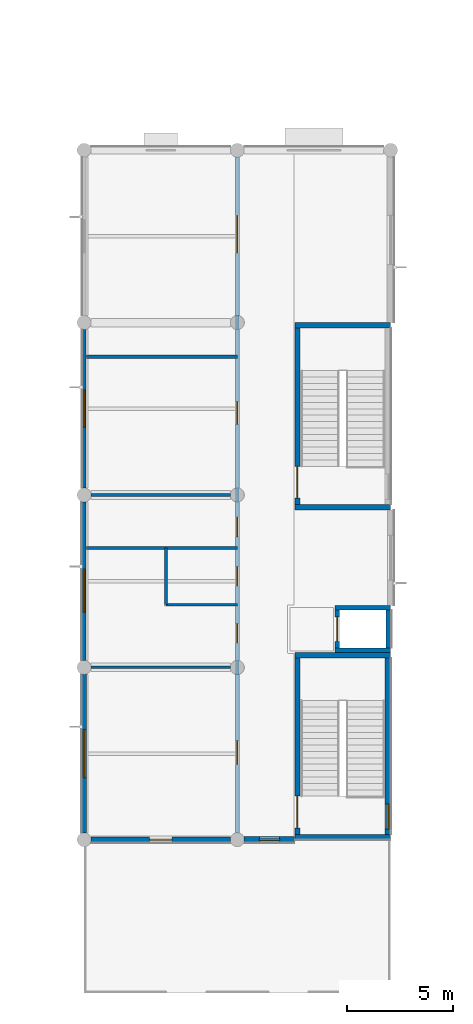
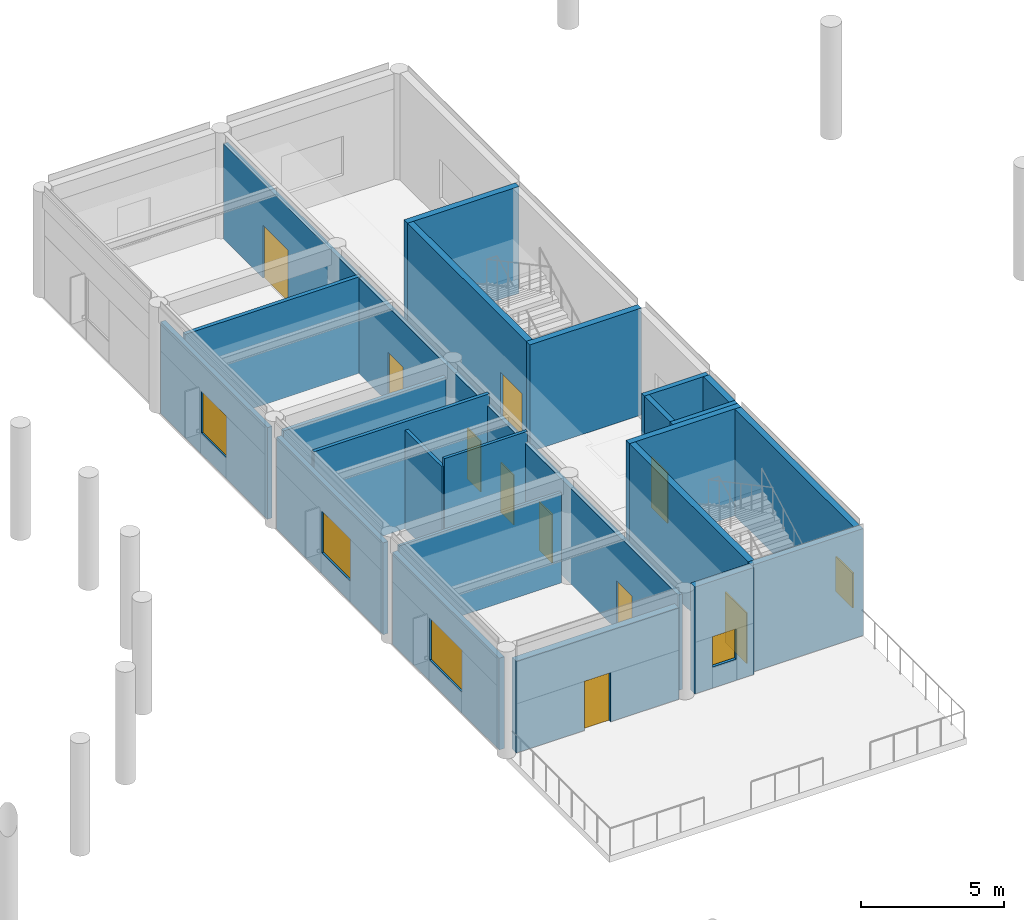
# One storey, part 53 of 92: 23 walls, 10 doors, 5 windows, 15 openings.
"""IFC4 building model written with IfcOpenShell, lengths in metres."""

import ifcopenshell
import ifcopenshell.guid

model = None  # the IFC model being written
_history = None  # IfcOwnerHistory: only IFC2X3 demands one
_inside = {}  # id of a spatial element -> (the spatial element, [elements in it])
_under = {}  # id of a project, library or spatial element -> (it, [spatial elements below it])
_declared = {}  # id of a project -> (the project, [libraries it declares])
_typed = {}  # id of a type object -> (the type object, [elements of that type])
_made_of = {}  # id of a material, layer set ... -> (it, [elements and type objects made of it])


def new_model(schema):
    """Start an empty IFC model of exactly this schema.

    Asked for "IFC4X3", IfcOpenShell would pick the latest addendum, in which some entities
    have other attributes; the version numbers below select the first issue.
    IFC2X3 requires an IfcOwnerHistory on every rooted entity: one is made here for all.
    """
    global model, _history
    if schema == "IFC4X3":
        model = ifcopenshell.file(schema_version=(4, 3, 0, 0))
    else:
        model = ifcopenshell.file(schema=schema)
    _inside.clear()
    _under.clear()
    _declared.clear()
    _typed.clear()
    _made_of.clear()
    _history = None
    if model.schema == "IFC2X3":
        org = make("IfcOrganization", Name="unknown")
        user = make(
            "IfcPersonAndOrganization",
            ThePerson=make("IfcPerson", FamilyName="unknown"),
            TheOrganization=org,
        )
        app = make(
            "IfcApplication",
            ApplicationDeveloper=org,
            Version="unknown",
            ApplicationFullName="unknown",
            ApplicationIdentifier="unknown",
        )
        _history = make(
            "IfcOwnerHistory",
            OwningUser=user,
            OwningApplication=app,
            ChangeAction="ADDED",
            CreationDate=0,
        )
    return model


def make(cls, **values):
    """One entity of the class cls with the attributes given. An attribute that is None is left unset."""
    return model.create_entity(
        cls, **{name: value for name, value in values.items() if value is not None}
    )


def rooted(cls, **values):
    """An entity with a GlobalId (a new one), such as an element, a storey or a relation."""
    return make(cls, GlobalId=ifcopenshell.guid.new(), OwnerHistory=_history, **values)


def si_unit(unit_type, name, prefix=None):
    """IfcSIUnit, for example si_unit("LENGTHUNIT", "METRE", prefix="MILLI")."""
    return make("IfcSIUnit", UnitType=unit_type, Prefix=prefix, Name=name)


def assignment(units):
    """IfcUnitAssignment: the units of a project."""
    return None if units is None else make("IfcUnitAssignment", Units=units)


def point(xyz):
    """IfcCartesianPoint."""
    return None if xyz is None else make("IfcCartesianPoint", Coordinates=xyz)


def direction(xyz):
    """IfcDirection."""
    return None if xyz is None else make("IfcDirection", DirectionRatios=xyz)


def frame(location, z_axis=None, x_axis=None):
    """IfcAxis2Placement3D, a coordinate frame: its origin and axes. An axis left out is left unset."""
    return make(
        "IfcAxis2Placement3D",
        Location=point(location),
        Axis=direction(z_axis),
        RefDirection=direction(x_axis),
    )


def frame_2d(location, x_axis=None):
    """IfcAxis2Placement2D, a coordinate frame in the plane: its origin and x axis."""
    return make(
        "IfcAxis2Placement2D", Location=point(location), RefDirection=direction(x_axis)
    )


def origin():
    """The frame at (0, 0, 0) with its axes left unset."""
    return frame((0.0, 0.0, 0.0))


def place(relative_to, where):
    """IfcLocalPlacement: puts the frame where relative to a parent placement (None: the world)."""
    return make(
        "IfcLocalPlacement", PlacementRelTo=relative_to, RelativePlacement=where
    )


def context(
    kind, dimensions, precision=None, world=None, true_north=None, identifier=None
):
    """IfcGeometricRepresentationContext, for example the 3D "Model" context."""
    return make(
        "IfcGeometricRepresentationContext",
        ContextIdentifier=identifier,
        ContextType=kind,
        CoordinateSpaceDimension=dimensions,
        Precision=precision,
        WorldCoordinateSystem=world,
        TrueNorth=true_north,
    )


def subcontext(parent, identifier, kind, view, scale=None):
    """IfcGeometricRepresentationSubContext, for example "Body" below "Model"."""
    return make(
        "IfcGeometricRepresentationSubContext",
        ContextIdentifier=identifier,
        ContextType=kind,
        ParentContext=parent,
        TargetScale=scale,
        TargetView=view,
    )


def project(units=None, contexts=None):
    """IfcProject with its units and contexts."""
    return rooted(
        "IfcProject",
        Name="project",
        RepresentationContexts=contexts,
        UnitsInContext=assignment(units),
    )


def spatial(cls, under=None, at=None, **own):
    """A site, building, storey or space (cls), placed at a placement, below another one or the project."""
    s = rooted(cls, ObjectPlacement=at, **own)
    if under is not None:
        _under.setdefault(under.id(), (under, []))[1].append(s)
    return s


def profile(cls, at=None, kind="AREA", **sizes):
    """A parametric profile (cls). Its sizes go by their IFC names, for example OverallWidth=200.0."""
    return make(cls, ProfileType=kind, Position=at, **sizes)


def rectangle(**sizes):
    """IfcRectangleProfileDef."""
    return profile("IfcRectangleProfileDef", **sizes)


def extrude(swept, where, along, depth):
    """IfcExtrudedAreaSolid: the profile swept, set in the frame where, extruded along a direction by depth."""
    return make(
        "IfcExtrudedAreaSolid",
        SweptArea=swept,
        Position=where,
        ExtrudedDirection=direction(along),
        Depth=depth,
    )


def shape(context_of_items, identifier, shape_type, items):
    """IfcShapeRepresentation: the items that make up one representation, for example the "Body"."""
    return make(
        "IfcShapeRepresentation",
        ContextOfItems=context_of_items,
        RepresentationIdentifier=identifier,
        RepresentationType=shape_type,
        Items=items,
    )


def material(Name=None, Category=None):
    """IfcMaterial."""
    return make("IfcMaterial", Name=Name, Category=Category)


def layer(
    of_material, thickness, ventilated=None, Name=None, Category=None, Priority=None
):
    """IfcMaterialLayer: one layer of a wall or slab, of a material (None: an air gap)."""
    return make(
        "IfcMaterialLayer",
        Material=of_material,
        LayerThickness=thickness,
        IsVentilated=ventilated,
        Name=Name,
        Category=Category,
        Priority=Priority,
    )


def layer_set(layers, Name=None):
    """IfcMaterialLayerSet."""
    return make("IfcMaterialLayerSet", MaterialLayers=layers, LayerSetName=Name)


def made_of(thing, what):
    """Note that an element or type object is made of a material, layer set ...; save() writes the relation."""
    if what is not None:
        _made_of.setdefault(what.id(), (what, []))[1].append(thing)
    return thing


def type_object(cls, material=None, **own):
    """A type object (cls), such as IfcWallType, which elements share."""
    return made_of(rooted(cls, **own), material)


def element(
    cls,
    number,
    at=None,
    inside=None,
    cuts=None,
    type_object=None,
    material=None,
    context=None,
    identifier="Body",
    shape_type=None,
    held_by="IfcProductDefinitionShape",
    body=None,
    shapes=None,
    **own,
):
    """One element of the class cls, such as IfcWall. Its Tag is "e" and its number.

    at: its placement. inside: the storey or other place that contains it. cuts: it is an
    opening in that element (IfcRelVoidsElement). A single representation is given by context,
    identifier, shape_type and body (its items); several are given by shapes. held_by: the class
    of the entity that holds the representations. save() writes the other relations.
    """
    e = rooted(cls, Tag="e%d" % number, ObjectPlacement=at, **own)
    if body is not None:
        shapes = [shape(context, identifier, shape_type, body)]
    if shapes is not None:
        e.Representation = make(held_by, Representations=shapes)
    if inside is not None:
        _inside.setdefault(inside.id(), (inside, []))[1].append(e)
    if cuts is not None:
        rooted(
            "IfcRelVoidsElement", RelatingBuildingElement=cuts, RelatedOpeningElement=e
        )
    if type_object is not None:
        _typed.setdefault(type_object.id(), (type_object, []))[1].append(e)
    return made_of(e, material)


def fill(opening, filler):
    """IfcRelFillsElement: the door or window that sits in an opening."""
    return rooted(
        "IfcRelFillsElement",
        RelatingOpeningElement=opening,
        RelatedBuildingElement=filler,
    )


def aggregate(whole, parts):
    """IfcRelAggregates: a whole, such as a stair, and the parts it consists of."""
    return rooted("IfcRelAggregates", RelatingObject=whole, RelatedObjects=parts)


def save(model, path):
    """Write the relations noted so far, then the file.

    IfcRelAggregates (storeys below a building ...), IfcRelContainedInSpatialStructure (elements
    in a storey), IfcRelDefinesByType, IfcRelAssociatesMaterial and IfcRelDeclares: one each for
    every whole, place, type object, material and project.
    """
    for whole, parts in _under.values():
        aggregate(whole, parts)
    for where, things in _inside.values():
        rooted(
            "IfcRelContainedInSpatialStructure",
            RelatedElements=things,
            RelatingStructure=where,
        )
    for kind, things in _typed.values():
        rooted("IfcRelDefinesByType", RelatedObjects=things, RelatingType=kind)
    for what, things in _made_of.values():
        rooted("IfcRelAssociatesMaterial", RelatedObjects=things, RelatingMaterial=what)
    for by, libraries in _declared.values():
        rooted("IfcRelDeclares", RelatingContext=by, RelatedDefinitions=libraries)
    model.write(path)


model = new_model("IFC4")

# Units and contexts
model_context = context("Model", 3, precision=1e-05, world=origin(), true_north=direction((0.0, 1.0)))
body_context = subcontext(model_context, "Body", "Model", "MODEL_VIEW")
ifc_project = project(units=[si_unit("LENGTHUNIT", "METRE"), si_unit("AREAUNIT", "SQUARE_METRE"), si_unit("VOLUMEUNIT", "CUBIC_METRE"), si_unit("PLANEANGLEUNIT", "RADIAN"), si_unit("MASSUNIT", "GRAM", prefix="KILO")], contexts=[model_context])

# Site, building, storey
site_placement = place(None, origin())
site = spatial("IfcSite", under=ifc_project, at=site_placement, CompositionType="ELEMENT")
building_placement = place(site_placement, origin())
building = spatial("IfcBuilding", under=site, at=building_placement, Name="Namkhue Oval Health Centre", CompositionType="ELEMENT")
storey_placement = place(building_placement, frame((0.0, 0.0, 4.800048828125)))
storey = spatial("IfcBuildingStorey", under=building, at=storey_placement, Name="L01", CompositionType="ELEMENT", Elevation=4.800048828125)

# Wall, opening, window
ifc_material_1 = material(Name="Autoclaved aerated concrete blockwork M7.5", Category="masonry")
ifc_layer_1 = layer(ifc_material_1, 0.18994140625)
ifc_layer_set_1 = layer_set([ifc_layer_1], Name="Autoclaved aerated concrete blockwork M7.5")
wall_type_1 = type_object("IfcWallType", Name="EXTERIOR ENVELOPE WALL 190", PredefinedType="STANDARD", material=ifc_layer_set_1)
wall_1_placement = place(storey_placement, frame((136.800048828125, 67.179931640625, 0.0), z_axis=(0.0, 0.0, 1.0), x_axis=(0.0, -1.0, 0.0)))
wall_1 = element("IfcWall", 1, at=wall_1_placement, inside=storey, type_object=wall_type_1, Name="Volume V6 L01 Exterior Envelope Wall 178", PredefinedType="STANDARD", context=body_context, shape_type="SweptSolid", body=[
    extrude(rectangle(XDim=7.4599609375, YDim=0.18994140625, at=frame_2d((3.72998046875, 0.0))), origin(), (0.0, 0.0, 1.0), 3.909912109375),
])
opening_1_placement = place(wall_1_placement, frame((2.85498046875, 0.0, 0.89990234375)))
opening_1 = element("IfcOpeningElement", 2, at=opening_1_placement, cuts=wall_1, Name="Opening WN-43", PredefinedType="OPENING", context=body_context, shape_type="SweptSolid", body=[
    extrude(rectangle(XDim=1.75, YDim=1.780029296875, at=frame_2d((0.875, 0.89013671875))), frame((0.0, 0.10498046875, 0.0), z_axis=(0.0, -1.0, 0.0), x_axis=(1.0, 0.0, 0.0)), (0.0, 0.0, 1.0), 0.2099609375),
])
ifc_material_2 = material(Name="Thermally broken low-E laminated double glazing", Category="glass")
window_type_1 = type_object("IfcWindowType", Name="EXTERIOR WINDOW 1750X1780", PartitioningType="SINGLE_PANEL", PredefinedType="WINDOW", material=ifc_material_2)
window_1_placement = place(opening_1_placement, origin())
window_1 = element("IfcWindow", 3, at=window_1_placement, inside=storey, type_object=window_type_1, Name="Volume V6 L01 Exterior Window 133", OverallHeight=1.780029296875, OverallWidth=1.75, PartitioningType="SINGLE_PANEL", PredefinedType="WINDOW", context=body_context, shape_type="SweptSolid", body=[
    extrude(rectangle(XDim=1.75, YDim=1.780029296875, at=frame_2d((0.875, 0.89013671875))), frame((0.0, 0.030029296875, 0.0), z_axis=(0.0, -1.0, 0.0), x_axis=(1.0, 0.0, 0.0)), (0.0, 0.0, 1.0), 0.06005859375),
])
fill(opening_1, window_1)

ifc_layer_2 = layer(ifc_material_1, 0.199951171875)
ifc_layer_set_2 = layer_set([ifc_layer_2], Name="Autoclaved aerated concrete blockwork M7.5")
wall_type_2 = type_object("IfcWallType", Name="EXTERIOR ENVELOPE WALL 200", PredefinedType="STANDARD", material=ifc_layer_set_2)
wall_2_placement = place(storey_placement, frame((136.800048828125, 59.080078125, 0.0), z_axis=(0.0, 0.0, 1.0), x_axis=(0.0, -1.0, 0.0)))
wall_2 = element("IfcWall", 4, at=wall_2_placement, inside=storey, type_object=wall_type_2, Name="Volume V6 L01 Exterior Envelope Wall 179", PredefinedType="STANDARD", context=body_context, shape_type="SweptSolid", body=[
    extrude(rectangle(XDim=7.4599609375, YDim=0.199951171875, at=frame_2d((3.72998046875, 0.0))), origin(), (0.0, 0.0, 1.0), 3.909912109375),
])
opening_2_placement = place(wall_2_placement, frame((3.179931640625, 0.0, 0.89990234375)))
opening_2 = element("IfcOpeningElement", 5, at=opening_2_placement, cuts=wall_2, Name="Opening WN-44", PredefinedType="OPENING", context=body_context, shape_type="SweptSolid", body=[
    extrude(rectangle(XDim=2.0, YDim=1.780029296875, at=frame_2d((1.0, 0.89013671875))), frame((0.0, 0.10986328125, 0.0), z_axis=(0.0, -1.0, 0.0), x_axis=(1.0, 0.0, 0.0)), (0.0, 0.0, 1.0), 0.219970703125),
])
window_type_2 = type_object("IfcWindowType", Name="EXTERIOR WINDOW 2000X1780", PartitioningType="SINGLE_PANEL", PredefinedType="WINDOW", material=ifc_material_2)
window_2_placement = place(opening_2_placement, origin())
window_2 = element("IfcWindow", 6, at=window_2_placement, inside=storey, type_object=window_type_2, Name="Volume V6 L01 Exterior Window 134", OverallHeight=1.780029296875, OverallWidth=2.0, PartitioningType="SINGLE_PANEL", PredefinedType="WINDOW", context=body_context, shape_type="SweptSolid", body=[
    extrude(rectangle(XDim=2.0, YDim=1.780029296875, at=frame_2d((1.0, 0.89013671875))), frame((0.0, 0.030029296875, 0.0), z_axis=(0.0, -1.0, 0.0), x_axis=(1.0, 0.0, 0.0)), (0.0, 0.0, 1.0), 0.06005859375),
])
fill(opening_2, window_2)

ifc_layer_3 = layer(ifc_material_1, 0.2099609375)
ifc_layer_set_3 = layer_set([ifc_layer_3], Name="Autoclaved aerated concrete blockwork M7.5")
wall_type_3 = type_object("IfcWallType", Name="EXTERIOR ENVELOPE WALL 210", PredefinedType="STANDARD", material=ifc_layer_set_3)
wall_3_placement = place(storey_placement, frame((136.800048828125, 50.97998046875, 0.0), z_axis=(0.0, 0.0, 1.0), x_axis=(0.0, -1.0, 0.0)))
wall_3 = element("IfcWall", 7, at=wall_3_placement, inside=storey, type_object=wall_type_3, Name="Volume V6 L01 Exterior Envelope Wall 180", PredefinedType="STANDARD", context=body_context, shape_type="SweptSolid", body=[
    extrude(rectangle(XDim=7.4599609375, YDim=0.2099609375, at=frame_2d((3.72998046875, 0.0))), origin(), (0.0, 0.0, 1.0), 3.909912109375),
])
opening_3_placement = place(wall_3_placement, frame((2.60498046875, 0.0, 0.89990234375)))
opening_3 = element("IfcOpeningElement", 8, at=opening_3_placement, cuts=wall_3, Name="Opening WN-45", PredefinedType="OPENING", context=body_context, shape_type="SweptSolid", body=[
    extrude(rectangle(XDim=2.25, YDim=1.780029296875, at=frame_2d((1.125, 0.89013671875))), frame((0.0, 0.114990234375, 0.0), z_axis=(0.0, -1.0, 0.0), x_axis=(1.0, 0.0, 0.0)), (0.0, 0.0, 1.0), 0.22998046875),
])
window_type_3 = type_object("IfcWindowType", Name="EXTERIOR WINDOW 2250X1780", PartitioningType="SINGLE_PANEL", PredefinedType="WINDOW", material=ifc_material_2)
window_3_placement = place(opening_3_placement, origin())
window_3 = element("IfcWindow", 9, at=window_3_placement, inside=storey, type_object=window_type_3, Name="Volume V6 L01 Exterior Window 135", OverallHeight=1.780029296875, OverallWidth=2.25, PartitioningType="SINGLE_PANEL", PredefinedType="WINDOW", context=body_context, shape_type="SweptSolid", body=[
    extrude(rectangle(XDim=2.25, YDim=1.780029296875, at=frame_2d((1.125, 0.89013671875))), frame((0.0, 0.030029296875, 0.0), z_axis=(0.0, -1.0, 0.0), x_axis=(1.0, 0.0, 0.0)), (0.0, 0.0, 1.0), 0.06005859375),
])
fill(opening_3, window_3)

# Wall, opening, door
ifc_layer_4 = layer(ifc_material_1, 0.280029296875)
ifc_layer_set_4 = layer_set([ifc_layer_4], Name="Autoclaved aerated concrete blockwork M7.5")
wall_type_4 = type_object("IfcWallType", Name="EXTERIOR ENVELOPE WALL 280", PredefinedType="STANDARD", material=ifc_layer_set_4)
wall_4_placement = place(storey_placement, frame((137.1201171875, 43.199951171875, 0.0), z_axis=(0.0, 0.0, 1.0), x_axis=(1.0, 0.0, 0.0)))
wall_4 = element("IfcWall", 10, at=wall_4_placement, inside=storey, type_object=wall_type_4, Name="Volume V6 L01 Exterior Envelope Wall 171", PredefinedType="STANDARD", context=body_context, shape_type="SweptSolid", body=[
    extrude(rectangle(XDim=6.559814453125, YDim=0.280029296875, at=frame_2d((3.27978515625, 0.0))), origin(), (0.0, 0.0, 1.0), 3.909912109375),
])
opening_4_placement = place(wall_4_placement, frame((2.760009765625, 0.0, 0.0)))
opening_4 = element("IfcOpeningElement", 11, at=opening_4_placement, cuts=wall_4, Name="Opening TD-07", PredefinedType="OPENING", context=body_context, shape_type="SweptSolid", body=[
    extrude(rectangle(XDim=1.0400390625, YDim=2.10009765625, at=frame_2d((0.52001953125, 1.050048828125))), frame((0.0, 0.14990234375, 0.0), z_axis=(0.0, -1.0, 0.0), x_axis=(1.0, 0.0, 0.0)), (0.0, 0.0, 1.0), 0.300048828125),
])
ifc_material_3 = material(Name="Anodised aluminium glazed entrance door", Category="aluminium")
door_type_1 = type_object("IfcDoorType", Name="TERRACE DOOR 1040X2100", OperationType="NOTDEFINED", PredefinedType="DOOR", material=ifc_material_3)
door_1_placement = place(opening_4_placement, frame((1.0400390625, 0.0, 0.0), z_axis=(0.0, 0.0, 1.0), x_axis=(-1.0, 0.0, 0.0)))
door_1 = element("IfcDoor", 12, at=door_1_placement, inside=storey, type_object=door_type_1, Name="Volume V6 L01 Roof Terrace Door 14", OperationType="SINGLE_SWING_LEFT", OverallHeight=2.10009765625, OverallWidth=1.0400390625, PredefinedType="DOOR", context=body_context, shape_type="SweptSolid", body=[
    extrude(rectangle(XDim=1.0400390625, YDim=2.10009765625, at=frame_2d((0.52001953125, 1.050048828125))), frame((0.0, 0.02490234375, 0.0), z_axis=(0.0, -1.0, 0.0), x_axis=(1.0, 0.0, 0.0)), (0.0, 0.0, 1.0), 0.050048828125),
])
fill(opening_4, door_1)

# Wall, opening, window
ifc_layer_5 = layer(ifc_material_1, 0.2900390625)
ifc_layer_set_5 = layer_set([ifc_layer_5], Name="Autoclaved aerated concrete blockwork M7.5")
wall_type_5 = type_object("IfcWallType", Name="EXTERIOR ENVELOPE WALL 290", PredefinedType="STANDARD", material=ifc_layer_set_5)
wall_5_placement = place(storey_placement, frame((144.320068359375, 43.199951171875, 0.0), z_axis=(0.0, 0.0, 1.0), x_axis=(1.0, 0.0, 0.0)))
wall_5 = element("IfcWall", 13, at=wall_5_placement, inside=storey, type_object=wall_type_5, Name="Volume V6 L01 Exterior Envelope Wall 172", PredefinedType="STANDARD", context=body_context, shape_type="SweptSolid", body=[
    extrude(rectangle(XDim=2.3779296875, YDim=0.2900390625, at=frame_2d((1.18896484375, 0.0))), origin(), (0.0, 0.0, 1.0), 4.56005859375),
])
opening_5_placement = place(wall_5_placement, frame((0.714111328125, 0.0, 0.89990234375)))
opening_5 = element("IfcOpeningElement", 14, at=opening_5_placement, cuts=wall_5, Name="Opening WN-01", PredefinedType="OPENING", context=body_context, shape_type="SweptSolid", body=[
    extrude(rectangle(XDim=0.949951171875, YDim=1.300048828125, at=frame_2d((0.47509765625, 0.64990234375))), frame((0.0, 0.155029296875, 0.0), z_axis=(0.0, -1.0, 0.0), x_axis=(1.0, 0.0, 0.0)), (0.0, 0.0, 1.0), 0.31005859375),
])
window_type_4 = type_object("IfcWindowType", Name="EXTERIOR WINDOW 950X1300", PartitioningType="SINGLE_PANEL", PredefinedType="WINDOW", material=ifc_material_2)
window_4_placement = place(opening_5_placement, origin())
window_4 = element("IfcWindow", 15, at=window_4_placement, inside=storey, type_object=window_type_4, Name="Volume V6 L01 Exterior Window 127", OverallHeight=1.300048828125, OverallWidth=0.949951171875, PartitioningType="SINGLE_PANEL", PredefinedType="WINDOW", context=body_context, shape_type="SweptSolid", body=[
    extrude(rectangle(XDim=0.949951171875, YDim=1.300048828125, at=frame_2d((0.47509765625, 0.64990234375))), frame((0.0, 0.030029296875, 0.0), z_axis=(0.0, -1.0, 0.0), x_axis=(1.0, 0.0, 0.0)), (0.0, 0.0, 1.0), 0.06005859375),
])
fill(opening_5, window_4)

# Wall, openings, doors
ifc_material_4 = material(Name="Gypsum plasterboard acoustic partition", Category="gypsum")
ifc_layer_6 = layer(ifc_material_4, 0.169921875)
ifc_layer_set_6 = layer_set([ifc_layer_6], Name="Gypsum plasterboard acoustic partition")
wall_type_6 = type_object("IfcWallType", Name="FIRE PARTITION WALL 170", PredefinedType="PARTITIONING", material=ifc_layer_set_6)
wall_6_placement = place(storey_placement, frame((144.0, 43.52490234375, 0.0), z_axis=(0.0, 0.0, 1.0), x_axis=(0.0, 1.0, 0.0)))
wall_6 = element("IfcWall", 16, at=wall_6_placement, inside=storey, type_object=wall_type_6, Name="Volume V6 L01 Clinical Partition Wall 260", PredefinedType="PARTITIONING", context=body_context, shape_type="SweptSolid", body=[
    extrude(rectangle(XDim=31.75, YDim=0.169921875, at=frame_2d((15.875, 0.0))), origin(), (0.0, 0.0, 1.0), 4.06787109375),
])
opening_6_placement = place(wall_6_placement, frame((3.218017578125, 0.0, 0.0)))
opening_6 = element("IfcOpeningElement", 17, at=opening_6_placement, cuts=wall_6, Name="Opening CD-06", PredefinedType="OPENING", context=body_context, shape_type="SweptSolid", body=[
    extrude(rectangle(XDim=1.10009765625, YDim=2.080078125, at=frame_2d((0.550048828125, 1.0400390625))), frame((0.0, 0.094970703125, 0.0), z_axis=(0.0, -1.0, 0.0), x_axis=(1.0, 0.0, 0.0)), (0.0, 0.0, 1.0), 0.18994140625),
])
opening_7_placement = place(wall_6_placement, frame((8.925048828125, 0.0, 0.0)))
opening_7 = element("IfcOpeningElement", 18, at=opening_7_placement, cuts=wall_6, Name="Opening CD-01", PredefinedType="OPENING", context=body_context, shape_type="SweptSolid", body=[
    extrude(rectangle(XDim=0.89990234375, YDim=2.080078125, at=frame_2d((0.449951171875, 1.0400390625))), frame((0.0, 0.094970703125, 0.0), z_axis=(0.0, -1.0, 0.0), x_axis=(1.0, 0.0, 0.0)), (0.0, 0.0, 1.0), 0.18994140625),
])
opening_8_placement = place(wall_6_placement, frame((11.60009765625, 0.0, 0.0)))
opening_8 = element("IfcOpeningElement", 19, at=opening_8_placement, cuts=wall_6, Name="Opening CD-07", PredefinedType="OPENING", context=body_context, shape_type="SweptSolid", body=[
    extrude(rectangle(XDim=0.89990234375, YDim=2.1298828125, at=frame_2d((0.449951171875, 1.06494140625))), frame((0.0, 0.094970703125, 0.0), z_axis=(0.0, -1.0, 0.0), x_axis=(1.0, 0.0, 0.0)), (0.0, 0.0, 1.0), 0.18994140625),
])
opening_9_placement = place(wall_6_placement, frame((13.9150390625, 0.0, 0.0)))
opening_9 = element("IfcOpeningElement", 20, at=opening_9_placement, cuts=wall_6, Name="Opening CD-13", PredefinedType="OPENING", context=body_context, shape_type="SweptSolid", body=[
    extrude(rectangle(XDim=0.919921875, YDim=2.179931640625, at=frame_2d((0.4599609375, 1.08984375))), frame((0.0, 0.094970703125, 0.0), z_axis=(0.0, -1.0, 0.0), x_axis=(1.0, 0.0, 0.0)), (0.0, 0.0, 1.0), 0.18994140625),
])
opening_10_placement = place(wall_6_placement, frame((19.205078125, 0.0, 0.0)))
opening_10 = element("IfcOpeningElement", 21, at=opening_10_placement, cuts=wall_6, Name="Opening CD-10", PredefinedType="OPENING", context=body_context, shape_type="SweptSolid", body=[
    extrude(rectangle(XDim=1.050048828125, YDim=2.1298828125, at=frame_2d((0.52490234375, 1.06494140625))), frame((0.0, 0.094970703125, 0.0), z_axis=(0.0, -1.0, 0.0), x_axis=(1.0, 0.0, 0.0)), (0.0, 0.0, 1.0), 0.18994140625),
])
opening_11_placement = place(wall_6_placement, frame((27.256103515625, 0.0, 0.0)))
opening_11 = element("IfcOpeningElement", 22, at=opening_11_placement, cuts=wall_6, Name="Opening CDD-07", PredefinedType="OPENING", context=body_context, shape_type="SweptSolid", body=[
    extrude(rectangle(XDim=1.739990234375, YDim=2.260009765625, at=frame_2d((0.8701171875, 1.1298828125))), frame((0.0, 0.094970703125, 0.0), z_axis=(0.0, -1.0, 0.0), x_axis=(1.0, 0.0, 0.0)), (0.0, 0.0, 1.0), 0.18994140625),
])
ifc_material_5 = material(Name="High-pressure laminate timber clinical door", Category="wood")
door_type_2 = type_object("IfcDoorType", Name="CLINICAL DOOR 1050X2130", OperationType="NOTDEFINED", PredefinedType="DOOR", material=ifc_material_5)
door_2_placement = place(opening_10_placement, origin())
door_2 = element("IfcDoor", 23, at=door_2_placement, inside=storey, type_object=door_type_2, Name="Volume V6 L01 Speech Language Therapy Clinic Door 230", OperationType="SINGLE_SWING_RIGHT", OverallHeight=2.1298828125, OverallWidth=1.050048828125, PredefinedType="DOOR", context=body_context, shape_type="SweptSolid", body=[
    extrude(rectangle(XDim=1.050048828125, YDim=2.1298828125, at=frame_2d((0.52490234375, 1.06494140625))), frame((0.0, 0.02490234375, 0.0), z_axis=(0.0, -1.0, 0.0), x_axis=(1.0, 0.0, 0.0)), (0.0, 0.0, 1.0), 0.050048828125),
])
fill(opening_10, door_2)
door_type_3 = type_object("IfcDoorType", Name="CLINICAL DOOR 1100X2080", OperationType="NOTDEFINED", PredefinedType="DOOR", material=ifc_material_5)
door_3_placement = place(opening_6_placement, origin())
door_3 = element("IfcDoor", 24, at=door_3_placement, inside=storey, type_object=door_type_3, Name="Volume V6 L01 Garden Terrace Rehab Lounge Door 226", OperationType="SINGLE_SWING_RIGHT", OverallHeight=2.080078125, OverallWidth=1.10009765625, PredefinedType="DOOR", context=body_context, shape_type="SweptSolid", body=[
    extrude(rectangle(XDim=1.10009765625, YDim=2.080078125, at=frame_2d((0.550048828125, 1.0400390625))), frame((0.0, 0.02490234375, 0.0), z_axis=(0.0, -1.0, 0.0), x_axis=(1.0, 0.0, 0.0)), (0.0, 0.0, 1.0), 0.050048828125),
])
fill(opening_6, door_3)
door_type_4 = type_object("IfcDoorType", Name="CLINICAL DOOR 900X2080", OperationType="NOTDEFINED", PredefinedType="DOOR", material=ifc_material_5)
door_4_placement = place(opening_7_placement, origin())
door_4 = element("IfcDoor", 25, at=door_4_placement, inside=storey, type_object=door_type_4, Name="Volume V6 L01 Rehab Splint Preparation Utility Door 227", OperationType="SINGLE_SWING_RIGHT", OverallHeight=2.080078125, OverallWidth=0.89990234375, PredefinedType="DOOR", context=body_context, shape_type="SweptSolid", body=[
    extrude(rectangle(XDim=0.89990234375, YDim=2.080078125, at=frame_2d((0.449951171875, 1.0400390625))), frame((0.0, 0.02490234375, 0.0), z_axis=(0.0, -1.0, 0.0), x_axis=(1.0, 0.0, 0.0)), (0.0, 0.0, 1.0), 0.050048828125),
])
fill(opening_7, door_4)
door_type_5 = type_object("IfcDoorType", Name="CLINICAL DOOR 900X2130", OperationType="NOTDEFINED", PredefinedType="DOOR", material=ifc_material_5)
door_5_placement = place(opening_8_placement, origin())
door_5 = element("IfcDoor", 26, at=door_5_placement, inside=storey, type_object=door_type_5, Name="Volume V6 L01 Accessible WC Door 228", OperationType="SINGLE_SWING_RIGHT", OverallHeight=2.1298828125, OverallWidth=0.89990234375, PredefinedType="DOOR", context=body_context, shape_type="SweptSolid", body=[
    extrude(rectangle(XDim=0.89990234375, YDim=2.1298828125, at=frame_2d((0.449951171875, 1.06494140625))), frame((0.0, 0.02490234375, 0.0), z_axis=(0.0, -1.0, 0.0), x_axis=(1.0, 0.0, 0.0)), (0.0, 0.0, 1.0), 0.050048828125),
])
fill(opening_8, door_5)
door_type_6 = type_object("IfcDoorType", Name="CLINICAL DOOR 920X2180", OperationType="NOTDEFINED", PredefinedType="DOOR", material=ifc_material_5)
door_6_placement = place(opening_9_placement, origin())
door_6 = element("IfcDoor", 27, at=door_6_placement, inside=storey, type_object=door_type_6, Name="Volume V6 L01 Patient Washroom Door 229", OperationType="SINGLE_SWING_LEFT", OverallHeight=2.179931640625, OverallWidth=0.919921875, PredefinedType="DOOR", context=body_context, shape_type="SweptSolid", body=[
    extrude(rectangle(XDim=0.919921875, YDim=2.179931640625, at=frame_2d((0.4599609375, 1.08984375))), frame((0.0, 0.02490234375, 0.0), z_axis=(0.0, -1.0, 0.0), x_axis=(1.0, 0.0, 0.0)), (0.0, 0.0, 1.0), 0.050048828125),
])
fill(opening_9, door_6)
ifc_material_6 = material(Name="Powder-coated steel fire door assembly", Category="steel")
door_type_7 = type_object("IfcDoorType", Name="CLINICAL DOOR DOUBLE 1740X2260", OperationType="DOUBLE_DOOR_SINGLE_SWING", PredefinedType="DOOR", material=ifc_material_6)
door_7_placement = place(opening_11_placement, origin())
door_7 = element("IfcDoor", 28, at=door_7_placement, inside=storey, type_object=door_type_7, Name="Volume V6 L01 Occupational Therapy Studio Door 231", OperationType="DOUBLE_DOOR_SINGLE_SWING", OverallHeight=2.260009765625, OverallWidth=1.739990234375, PredefinedType="DOOR", context=body_context, shape_type="SweptSolid", body=[
    extrude(rectangle(XDim=1.739990234375, YDim=2.260009765625, at=frame_2d((0.8701171875, 1.1298828125))), frame((0.0, 0.02490234375, 0.0), z_axis=(0.0, -1.0, 0.0), x_axis=(1.0, 0.0, 0.0)), (0.0, 0.0, 1.0), 0.050048828125),
])
fill(opening_11, door_7)

# Walls
ifc_layer_7 = layer(ifc_material_4, 0.110107421875)
ifc_layer_set_7 = layer_set([ifc_layer_7], Name="Gypsum plasterboard acoustic partition")
wall_type_7 = type_object("IfcWallType", Name="INTERIOR PARTITION WALL 110", PredefinedType="PARTITIONING", material=ifc_layer_set_7)
wall_7_placement = place(storey_placement, frame((137.125, 51.300048828125, 0.0), z_axis=(0.0, 0.0, 1.0), x_axis=(1.0, 0.0, 0.0)))
element("IfcWall", 29, at=wall_7_placement, inside=storey, type_object=wall_type_7, Name="Volume V6 L01 Clinical Partition Wall 261", PredefinedType="PARTITIONING", context=body_context, shape_type="SweptSolid", body=[
    extrude(rectangle(XDim=6.550048828125, YDim=0.110107421875, at=frame_2d((3.27490234375, 0.0))), origin(), (0.0, 0.0, 1.0), 3.85986328125),
])
ifc_layer_8 = layer(ifc_material_4, 0.1201171875)
ifc_layer_set_8 = layer_set([ifc_layer_8], Name="Gypsum plasterboard acoustic partition")
wall_type_8 = type_object("IfcWallType", Name="INTERIOR PARTITION WALL 120", PredefinedType="PARTITIONING", material=ifc_layer_set_8)
wall_8_placement = place(storey_placement, frame((140.64990234375, 54.25, 0.0), z_axis=(0.0, 0.0, 1.0), x_axis=(1.0, 0.0, 0.0)))
element("IfcWall", 30, at=wall_8_placement, inside=storey, type_object=wall_type_8, Name="Volume V6 L01 Clinical Partition Wall 262", PredefinedType="PARTITIONING", context=body_context, shape_type="SweptSolid", body=[
    extrude(rectangle(XDim=3.35009765625, YDim=0.1201171875, at=frame_2d((1.675048828125, 0.0))), origin(), (0.0, 0.0, 1.0), 4.56005859375),
])
ifc_layer_9 = layer(ifc_material_4, 0.1298828125)
ifc_layer_set_9 = layer_set([ifc_layer_9], Name="Gypsum plasterboard acoustic partition")
wall_type_9 = type_object("IfcWallType", Name="INTERIOR PARTITION WALL 130", PredefinedType="PARTITIONING", material=ifc_layer_set_9)
wall_9_placement = place(storey_placement, frame((140.64990234375, 54.25, 0.0), z_axis=(0.0, 0.0, 1.0), x_axis=(0.0, 1.0, 0.0)))
element("IfcWall", 31, at=wall_9_placement, inside=storey, type_object=wall_type_9, Name="Volume V6 L01 Clinical Partition Wall 263", PredefinedType="PARTITIONING", context=body_context, shape_type="SweptSolid", body=[
    extrude(rectangle(XDim=2.64990234375, YDim=0.1298828125, at=frame_2d((1.324951171875, 0.0))), origin(), (0.0, 0.0, 1.0), 4.199951171875),
])
ifc_layer_10 = layer(ifc_material_4, 0.139892578125)
ifc_layer_set_10 = layer_set([ifc_layer_10], Name="Gypsum plasterboard acoustic partition")
wall_type_10 = type_object("IfcWallType", Name="INTERIOR PARTITION WALL 140", PredefinedType="PARTITIONING", material=ifc_layer_set_10)
wall_10_placement = place(storey_placement, frame((136.922119140625, 56.89990234375, 0.0), z_axis=(0.0, 0.0, 1.0), x_axis=(1.0, 0.0, 0.0)))
element("IfcWall", 32, at=wall_10_placement, inside=storey, type_object=wall_type_10, Name="Volume V6 L01 Clinical Partition Wall 264", PredefinedType="PARTITIONING", context=body_context, shape_type="SweptSolid", body=[
    extrude(rectangle(XDim=7.077880859375, YDim=0.139892578125, at=frame_2d((3.5390625, 0.0))), origin(), (0.0, 0.0, 1.0), 4.56005859375),
])
ifc_layer_11 = layer(ifc_material_4, 0.14990234375)
ifc_layer_set_11 = layer_set([ifc_layer_11], Name="Gypsum plasterboard acoustic partition")
wall_type_11 = type_object("IfcWallType", Name="INTERIOR PARTITION WALL 150", PredefinedType="PARTITIONING", material=ifc_layer_set_11)
wall_11_placement = place(storey_placement, frame((137.125, 59.39990234375, 0.0), z_axis=(0.0, 0.0, 1.0), x_axis=(1.0, 0.0, 0.0)))
element("IfcWall", 33, at=wall_11_placement, inside=storey, type_object=wall_type_11, Name="Volume V6 L01 Clinical Partition Wall 265", PredefinedType="PARTITIONING", context=body_context, shape_type="SweptSolid", body=[
    extrude(rectangle(XDim=6.550048828125, YDim=0.14990234375, at=frame_2d((3.27490234375, 0.0))), origin(), (0.0, 0.0, 1.0), 3.85986328125),
])
ifc_layer_12 = layer(ifc_material_4, 0.159912109375)
ifc_layer_set_12 = layer_set([ifc_layer_12], Name="Gypsum plasterboard acoustic partition")
wall_type_12 = type_object("IfcWallType", Name="INTERIOR PARTITION WALL 160", PredefinedType="PARTITIONING", material=ifc_layer_set_12)
wall_12_placement = place(storey_placement, frame((136.9169921875, 65.904052734375, 0.0), z_axis=(0.0, 0.0, 1.0), x_axis=(1.0, 0.0, 0.0)))
element("IfcWall", 34, at=wall_12_placement, inside=storey, type_object=wall_type_12, Name="Volume V6 L01 Clinical Partition Wall 266", PredefinedType="PARTITIONING", context=body_context, shape_type="SweptSolid", body=[
    extrude(rectangle(XDim=7.0830078125, YDim=0.159912109375, at=frame_2d((3.54150390625, 0.0))), origin(), (0.0, 0.0, 1.0), 4.10986328125),
])
ifc_material_7 = material(Name="Reinforced concrete C35/45 (TCVN B40)", Category="concrete")
ifc_layer_13 = layer(ifc_material_7, 0.25)
ifc_layer_set_13 = layer_set([ifc_layer_13], Name="Reinforced concrete C35/45 (TCVN B40)")
wall_type_13 = type_object("IfcWallType", Name="SHEAR CORE WALL EXT 250", PredefinedType="SHEAR", material=ifc_layer_set_13)
wall_13_placement = place(storey_placement, frame((146.699951171875, 43.324951171875, 0.0), z_axis=(0.0, 0.0, 1.0), x_axis=(1.0, 0.0, 0.0)))
element("IfcWall", 35, at=wall_13_placement, inside=storey, type_object=wall_type_13, Name="Core SC-11 L01 Shear Wall S", PredefinedType="SHEAR", context=body_context, shape_type="SweptSolid", body=[
    extrude(rectangle(XDim=4.5, YDim=0.25, at=frame_2d((2.25, 0.0))), origin(), (0.0, 0.0, 1.0), 4.56005859375),
])

# Wall, opening, window
wall_14_placement = place(storey_placement, frame((151.074951171875, 43.449951171875, 0.0), z_axis=(0.0, 0.0, 1.0), x_axis=(0.0, 1.0, 0.0)))
wall_14 = element("IfcWall", 36, at=wall_14_placement, inside=storey, type_object=wall_type_13, Name="Core SC-11 L01 Shear Wall E", PredefinedType="SHEAR", context=body_context, shape_type="SweptSolid", body=[
    extrude(rectangle(XDim=8.300048828125, YDim=0.25, at=frame_2d((4.14990234375, 0.0))), origin(), (0.0, 0.0, 1.0), 4.56005859375),
])
opening_12_placement = place(wall_14_placement, frame((0.25, 0.0, 0.919921875)))
opening_12 = element("IfcOpeningElement", 37, at=opening_12_placement, cuts=wall_14, Name="Opening SWN-01", PredefinedType="OPENING", context=body_context, shape_type="SweptSolid", body=[
    extrude(rectangle(XDim=1.179931640625, YDim=1.47998046875, at=frame_2d((0.58984375, 0.739990234375))), frame((0.0, 0.135009765625, 0.0), z_axis=(0.0, -1.0, 0.0), x_axis=(1.0, 0.0, 0.0)), (0.0, 0.0, 1.0), 0.27001953125),
])
ifc_material_8 = material(Name="Fire-rated insulated safety double glazing", Category="glass")
window_type_5 = type_object("IfcWindowType", Name="EXTERIOR WINDOW STAIRWELL 1180X1480", PartitioningType="SINGLE_PANEL", PredefinedType="WINDOW", material=ifc_material_8)
window_5_placement = place(opening_12_placement, origin())
window_5 = element("IfcWindow", 38, at=window_5_placement, inside=storey, type_object=window_type_5, Name="Stair ST-11 L01 Stairwell Daylight Window", OverallHeight=1.47998046875, OverallWidth=1.179931640625, PartitioningType="SINGLE_PANEL", PredefinedType="WINDOW", context=body_context, shape_type="SweptSolid", body=[
    extrude(rectangle(XDim=1.179931640625, YDim=1.47998046875, at=frame_2d((0.58984375, 0.739990234375))), frame((0.0, 0.030029296875, 0.0), z_axis=(0.0, -1.0, 0.0), x_axis=(1.0, 0.0, 0.0)), (0.0, 0.0, 1.0), 0.06005859375),
])
fill(opening_12, window_5)

# Walls
wall_15_placement = place(storey_placement, frame((151.10009765625, 52.199951171875, 0.0), z_axis=(0.0, 0.0, 1.0), x_axis=(0.0, 1.0, 0.0)))
element("IfcWall", 39, at=wall_15_placement, inside=storey, type_object=wall_type_13, Name="Lift LF-07 L01 Shaft Wall E", PredefinedType="SHEAR", context=body_context, shape_type="SweptSolid", body=[
    extrude(rectangle(XDim=1.800048828125, YDim=0.25, at=frame_2d((0.89990234375, 0.0))), origin(), (0.0, 0.0, 1.0), 4.56005859375),
])
ifc_layer_14 = layer(ifc_material_7, 0.199951171875)
ifc_layer_set_14 = layer_set([ifc_layer_14], Name="Reinforced concrete C35/45 (TCVN B40)")
wall_type_14 = type_object("IfcWallType", Name="SHEAR CORE WALL INT 200", PredefinedType="SHEAR", material=ifc_layer_set_14)
for number, where, z_axis, x_axis, name in (
    (40, (148.60009765625, 52.10009765625, 0.0), (0.0, 0.0, 1.0), (1.0, 0.0, 0.0), "Lift LF-07 L01 Shaft Wall S"),
    (41, (151.199951171875, 54.10009765625, 0.0), (0.0, 0.0, 1.0), (-1.0, 0.0, 0.0), "Lift LF-07 L01 Shaft Wall N"),
):
    element("IfcWall", number, at=place(storey_placement, frame(where, z_axis=z_axis, x_axis=x_axis)), inside=storey, type_object=wall_type_14, Name=name, PredefinedType="SHEAR", context=body_context, shape_type="SweptSolid", body=[
        extrude(rectangle(XDim=2.599853515625, YDim=0.199951171875, at=frame_2d((1.2998046875, 0.0))), origin(), (0.0, 0.0, 1.0), 4.56005859375),
    ])

# Wall, opening, door
wall_16_placement = place(storey_placement, frame((148.699951171875, 54.0, 0.0), z_axis=(0.0, 0.0, 1.0), x_axis=(0.0, -1.0, 0.0)))
wall_16 = element("IfcWall", 42, at=wall_16_placement, inside=storey, type_object=wall_type_14, Name="Lift LF-07 L01 Shaft Wall W", PredefinedType="SHEAR", context=body_context, shape_type="SweptSolid", body=[
    extrude(rectangle(XDim=1.800048828125, YDim=0.199951171875, at=frame_2d((0.89990234375, 0.0))), origin(), (0.0, 0.0, 1.0), 4.56005859375),
])
opening_13_placement = place(wall_16_placement, frame((0.324951171875, 0.0, 0.0)))
opening_13 = element("IfcOpeningElement", 43, at=opening_13_placement, cuts=wall_16, Name="Opening LD-02", PredefinedType="OPENING", context=body_context, shape_type="SweptSolid", body=[
    extrude(rectangle(XDim=1.14990234375, YDim=2.14990234375, at=frame_2d((0.574951171875, 1.074951171875))), frame((0.0, 0.10986328125, 0.0), z_axis=(0.0, -1.0, 0.0), x_axis=(1.0, 0.0, 0.0)), (0.0, 0.0, 1.0), 0.219970703125),
])
door_type_8 = type_object("IfcDoorType", Name="LIFT LANDING DOOR PASSENGER 1150X2150", OperationType="DOUBLE_DOOR_SLIDING", PredefinedType="DOOR", material=ifc_material_6)
door_8_placement = place(opening_13_placement, frame((1.14990234375, 0.0, 0.0), z_axis=(0.0, 0.0, 1.0), x_axis=(-1.0, 0.0, 0.0)))
door_8 = element("IfcDoor", 44, at=door_8_placement, inside=storey, type_object=door_type_8, Name="Lift LF-07 L01 Sliding Landing Door", OperationType="DOUBLE_DOOR_SLIDING", OverallHeight=2.14990234375, OverallWidth=1.14990234375, PredefinedType="DOOR", context=body_context, shape_type="SweptSolid", body=[
    extrude(rectangle(XDim=1.14990234375, YDim=2.14990234375, at=frame_2d((0.574951171875, 1.074951171875))), frame((0.0, 0.02490234375, 0.0), z_axis=(0.0, -1.0, 0.0), x_axis=(1.0, 0.0, 0.0)), (0.0, 0.0, 1.0), 0.050048828125),
])
fill(opening_13, door_8)

# Wall
ifc_layer_15 = layer(ifc_material_7, 0.25)
ifc_layer_set_15 = layer_set([ifc_layer_15], Name="Reinforced concrete C35/45 (TCVN B40)")
wall_type_15 = type_object("IfcWallType", Name="SHEAR CORE WALL INT 250", PredefinedType="SHEAR", material=ifc_layer_set_15)
wall_17_placement = place(storey_placement, frame((151.199951171875, 51.875, 0.0), z_axis=(0.0, 0.0, 1.0), x_axis=(-1.0, 0.0, 0.0)))
element("IfcWall", 45, at=wall_17_placement, inside=storey, type_object=wall_type_15, Name="Core SC-11 L01 Shear Wall N", PredefinedType="SHEAR", context=body_context, shape_type="SweptSolid", body=[
    extrude(rectangle(XDim=4.5, YDim=0.25, at=frame_2d((2.25, 0.0))), origin(), (0.0, 0.0, 1.0), 4.56005859375),
])

# Wall, opening, door
wall_18_placement = place(storey_placement, frame((146.824951171875, 51.75, 0.0), z_axis=(0.0, 0.0, 1.0), x_axis=(0.0, -1.0, 0.0)))
wall_18 = element("IfcWall", 46, at=wall_18_placement, inside=storey, type_object=wall_type_15, Name="Core SC-11 L01 Shear Wall W", PredefinedType="SHEAR", context=body_context, shape_type="SweptSolid", body=[
    extrude(rectangle(XDim=8.300048828125, YDim=0.25, at=frame_2d((4.14990234375, 0.0))), origin(), (0.0, 0.0, 1.0), 4.56005859375),
])
opening_14_placement = place(wall_18_placement, frame((6.5, 0.0, 0.0)))
opening_14 = element("IfcOpeningElement", 47, at=opening_14_placement, cuts=wall_18, Name="Opening SD-I1", PredefinedType="OPENING", context=body_context, shape_type="SweptSolid", body=[
    extrude(rectangle(XDim=1.5, YDim=2.14990234375, at=frame_2d((0.75, 1.074951171875))), frame((0.0, 0.135009765625, 0.0), z_axis=(0.0, -1.0, 0.0), x_axis=(1.0, 0.0, 0.0)), (0.0, 0.0, 1.0), 0.27001953125),
])
door_type_9 = type_object("IfcDoorType", Name="CLINICAL DOOR STAIR CORE 1500X2150", OperationType="DOUBLE_DOOR_SINGLE_SWING", PredefinedType="DOOR", material=ifc_material_6)
door_9_placement = place(opening_14_placement, origin())
door_9 = element("IfcDoor", 48, at=door_9_placement, inside=storey, type_object=door_type_9, Name="Stair ST-11 L01 Stair Enclosure Fire Door", OperationType="DOUBLE_DOOR_SINGLE_SWING", OverallHeight=2.14990234375, OverallWidth=1.5, PredefinedType="DOOR", context=body_context, shape_type="SweptSolid", body=[
    extrude(rectangle(XDim=1.5, YDim=2.14990234375, at=frame_2d((0.75, 1.074951171875))), frame((0.0, 0.02490234375, 0.0), z_axis=(0.0, -1.0, 0.0), x_axis=(1.0, 0.0, 0.0)), (0.0, 0.0, 1.0), 0.050048828125),
])
fill(opening_14, door_9)

# Walls
for number, where, z_axis, x_axis, name in (
    (49, (146.699951171875, 58.824951171875, 0.0), (0.0, 0.0, 1.0), (1.0, 0.0, 0.0), "Core SC-12 L01 Shear Wall S"),
    (50, (151.199951171875, 67.375, 0.0), (0.0, 0.0, 1.0), (-1.0, 0.0, 0.0), "Core SC-12 L01 Shear Wall N"),
):
    element("IfcWall", number, at=place(storey_placement, frame(where, z_axis=z_axis, x_axis=x_axis)), inside=storey, type_object=wall_type_15, Name=name, PredefinedType="SHEAR", context=body_context, shape_type="SweptSolid", body=[
        extrude(rectangle(XDim=4.5, YDim=0.25, at=frame_2d((2.25, 0.0))), origin(), (0.0, 0.0, 1.0), 4.56005859375),
    ])

# Wall, opening, door
wall_19_placement = place(storey_placement, frame((146.824951171875, 67.25, 0.0), z_axis=(0.0, 0.0, 1.0), x_axis=(0.0, -1.0, 0.0)))
wall_19 = element("IfcWall", 51, at=wall_19_placement, inside=storey, type_object=wall_type_15, Name="Core SC-12 L01 Shear Wall W", PredefinedType="SHEAR", context=body_context, shape_type="SweptSolid", body=[
    extrude(rectangle(XDim=8.300048828125, YDim=0.25, at=frame_2d((4.14990234375, 0.0))), origin(), (0.0, 0.0, 1.0), 4.56005859375),
])
opening_15_placement = place(wall_19_placement, frame((6.5, 0.0, 0.0)))
opening_15 = element("IfcOpeningElement", 52, at=opening_15_placement, cuts=wall_19, Name="Opening SD-I1", PredefinedType="OPENING", context=body_context, shape_type="SweptSolid", body=[
    extrude(rectangle(XDim=1.5, YDim=2.14990234375, at=frame_2d((0.75, 1.074951171875))), frame((0.0, 0.135009765625, 0.0), z_axis=(0.0, -1.0, 0.0), x_axis=(1.0, 0.0, 0.0)), (0.0, 0.0, 1.0), 0.27001953125),
])
door_10_placement = place(opening_15_placement, origin())
door_10 = element("IfcDoor", 53, at=door_10_placement, inside=storey, type_object=door_type_9, Name="Stair ST-12 L01 Stair Enclosure Fire Door", OperationType="DOUBLE_DOOR_SINGLE_SWING", OverallHeight=2.14990234375, OverallWidth=1.5, PredefinedType="DOOR", context=body_context, shape_type="SweptSolid", body=[
    extrude(rectangle(XDim=1.5, YDim=2.14990234375, at=frame_2d((0.75, 1.074951171875))), frame((0.0, 0.02490234375, 0.0), z_axis=(0.0, -1.0, 0.0), x_axis=(1.0, 0.0, 0.0)), (0.0, 0.0, 1.0), 0.050048828125),
])
fill(opening_15, door_10)

save(model, "model.ifc")
